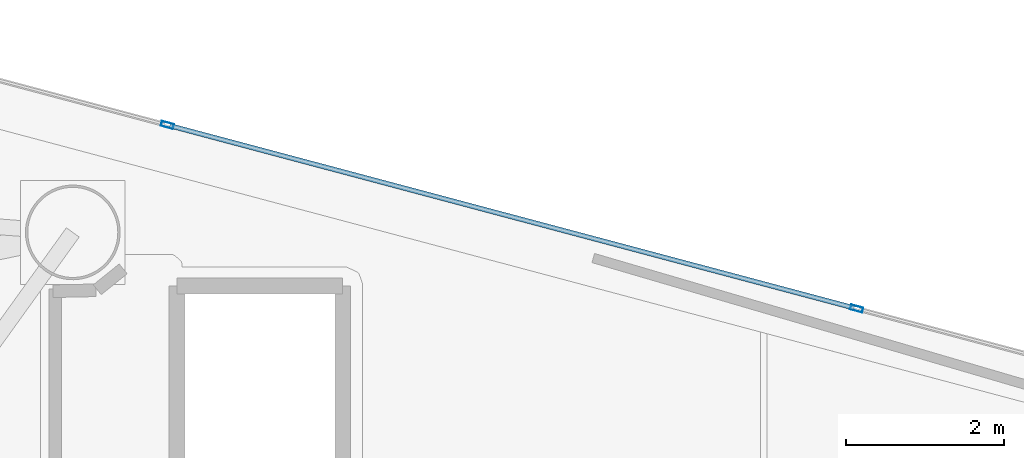
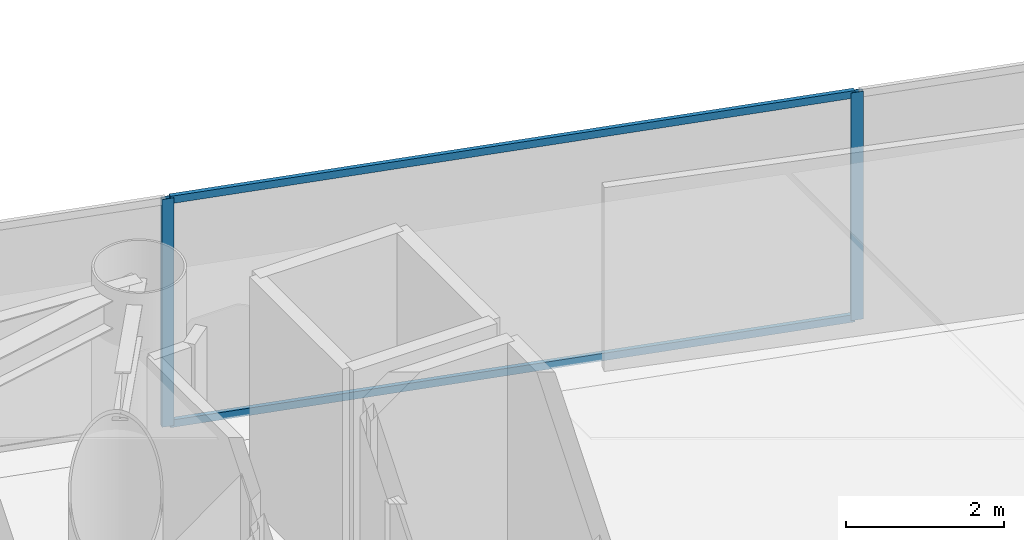
# One storey, part 12 of 21: 4 members, 1 element without a shape of its own.
"""IFC4 building model written with IfcOpenShell, lengths in metres."""

from ifc_helpers import new_model, si_unit, direction, frame, origin, origin_2d, place, context, subcontext, project, spatial, hollow_rectangle, extrude, material, layer, layer_set, material_profile, profile_set, type_object, element, aggregate, save


model = new_model("IFC4")

# Units and contexts
model_context = context("Model", 3, precision=1e-05, world=origin(), true_north=direction((0.0, 1.0)))
body_context = subcontext(model_context, "Body", "Model", "MODEL_VIEW")
ifc_project = project(units=[si_unit("LENGTHUNIT", "METRE"), si_unit("AREAUNIT", "SQUARE_METRE"), si_unit("VOLUMEUNIT", "CUBIC_METRE"), si_unit("PLANEANGLEUNIT", "RADIAN"), si_unit("MASSUNIT", "GRAM", prefix="KILO")], contexts=[model_context])

# Site, building, storey
site_placement = place(None, origin())
site = spatial("IfcSite", under=ifc_project, at=site_placement, CompositionType="ELEMENT")
building_placement = place(site_placement, origin())
building = spatial("IfcBuilding", under=site, at=building_placement, Name="Qianvela Tower", CompositionType="ELEMENT")
storey_placement = place(building_placement, frame((0.0, 0.0, 189.199951171875)))
storey = spatial("IfcBuildingStorey", under=building, at=storey_placement, Name="L48", CompositionType="ELEMENT", Elevation=189.199951171875)

# Curtain wall, members
ifc_material_1 = material(Name="Anodised Architectural Aluminium and Low-E Glass", Category="aluminium")
ifc_layer = layer(ifc_material_1, 0.159912109375)
ifc_layer_set = layer_set([ifc_layer], Name="Anodised Architectural Aluminium and Low-E Glass")
curtain_wall_type = type_object("IfcCurtainWallType", Name="CW-COLIV-Z56", PredefinedType="USERDEFINED", material=ifc_layer_set)
curtain_wall_placement = place(storey_placement, origin())
curtain_wall = element("IfcCurtainWall", 1, at=curtain_wall_placement, inside=storey, type_object=curtain_wall_type, Name="L48 CW-COLIV-Z56 Curtain Wall 02A", ObjectType="CURTAIN_WALL_SYSTEM", PredefinedType="USERDEFINED")
ifc_material_2 = material(Name="Anodised Architectural Aluminium 6063-T6", Category="aluminium")
ifc_material_profile_1 = material_profile(ifc_material_2, hollow_rectangle(XDim=0.06494140625, YDim=0.159912109375, WallThickness=0.0048828125, at=origin_2d()), Name="ALU-MULL-65x160")
ifc_profile_set_1 = profile_set([ifc_material_profile_1], Name="Anodised Architectural Aluminium 6063-T6")
member_type_1 = type_object("IfcMemberType", Name="CW-COLIV-Z56-MULL", PredefinedType="MULLION", material=ifc_profile_set_1)
member_1_placement = place(storey_placement, frame((50.061279296875, 34.992919921875, 0.0), z_axis=(0.0, 0.0, 1.0), x_axis=(-0.25735131933, -0.966317907543, 0.0)))
member_1 = element("IfcMember", 2, at=member_1_placement, type_object=member_type_1, Name="CW-5 mullion 2", PredefinedType="MULLION", context=body_context, shape_type="SweptSolid", body=[
    extrude(hollow_rectangle(XDim=0.06494140625, YDim=0.159912109375, WallThickness=0.0048828125, at=origin_2d()), origin(), (0.0, 0.0, 1.0), 3.52001953125),
])
member_2_placement = place(storey_placement, frame((41.328857421875, 37.318359375, 0.0), z_axis=(0.0, 0.0, 1.0), x_axis=(-0.25735131933, -0.966317907543, 0.0)))
member_2 = element("IfcMember", 3, at=member_2_placement, type_object=member_type_1, Name="CW-5 mullion 3", PredefinedType="MULLION", context=body_context, shape_type="SweptSolid", body=[
    extrude(hollow_rectangle(XDim=0.06494140625, YDim=0.159912109375, WallThickness=0.0048828125, at=origin_2d()), origin(), (0.0, 0.0, 1.0), 3.52001953125),
])
ifc_material_3 = material(Name="Anodised Architectural Aluminium 6063-T6", Category="aluminium")
ifc_material_profile_2 = material_profile(ifc_material_3, hollow_rectangle(XDim=0.06005859375, YDim=0.114990234375, WallThickness=0.00390625, at=origin_2d()), Name="ALU-TRAN-60x115")
ifc_profile_set_2 = profile_set([ifc_material_profile_2], Name="Anodised Architectural Aluminium 6063-T6")
member_type_2 = type_object("IfcMemberType", Name="CW-COLIV-Z56-TRAN", PredefinedType="USERDEFINED", material=ifc_profile_set_2)
member_3_placement = place(storey_placement, frame((50.02978515625, 35.001220703125, 0.030029296875), z_axis=(-0.966318446071, 0.257349297226, 0.0), x_axis=(-0.257349297226, -0.966318446071, 0.0)))
member_3 = element("IfcMember", 4, at=member_3_placement, type_object=member_type_2, Name="CW-5 transom 2.1", ObjectType="TRANSOM", PredefinedType="USERDEFINED", context=body_context, shape_type="SweptSolid", body=[
    extrude(hollow_rectangle(XDim=0.06005859375, YDim=0.114990234375, WallThickness=0.00390625, at=origin_2d()), origin(), (0.0, 0.0, 1.0), 8.9716796875),
])
member_4_placement = place(storey_placement, frame((50.02978515625, 35.001220703125, 3.489990234375), z_axis=(-0.966318446071, 0.257349297226, 0.0), x_axis=(-0.257349297226, -0.966318446071, 0.0)))
member_4 = element("IfcMember", 5, at=member_4_placement, type_object=member_type_2, Name="CW-5 transom 2.2", ObjectType="TRANSOM", PredefinedType="USERDEFINED", context=body_context, shape_type="SweptSolid", body=[
    extrude(hollow_rectangle(XDim=0.06005859375, YDim=0.114990234375, WallThickness=0.00390625, at=origin_2d()), origin(), (0.0, 0.0, 1.0), 8.9716796875),
])
aggregate(curtain_wall, [member_1, member_2, member_3, member_4])

save(model, "model.ifc")
